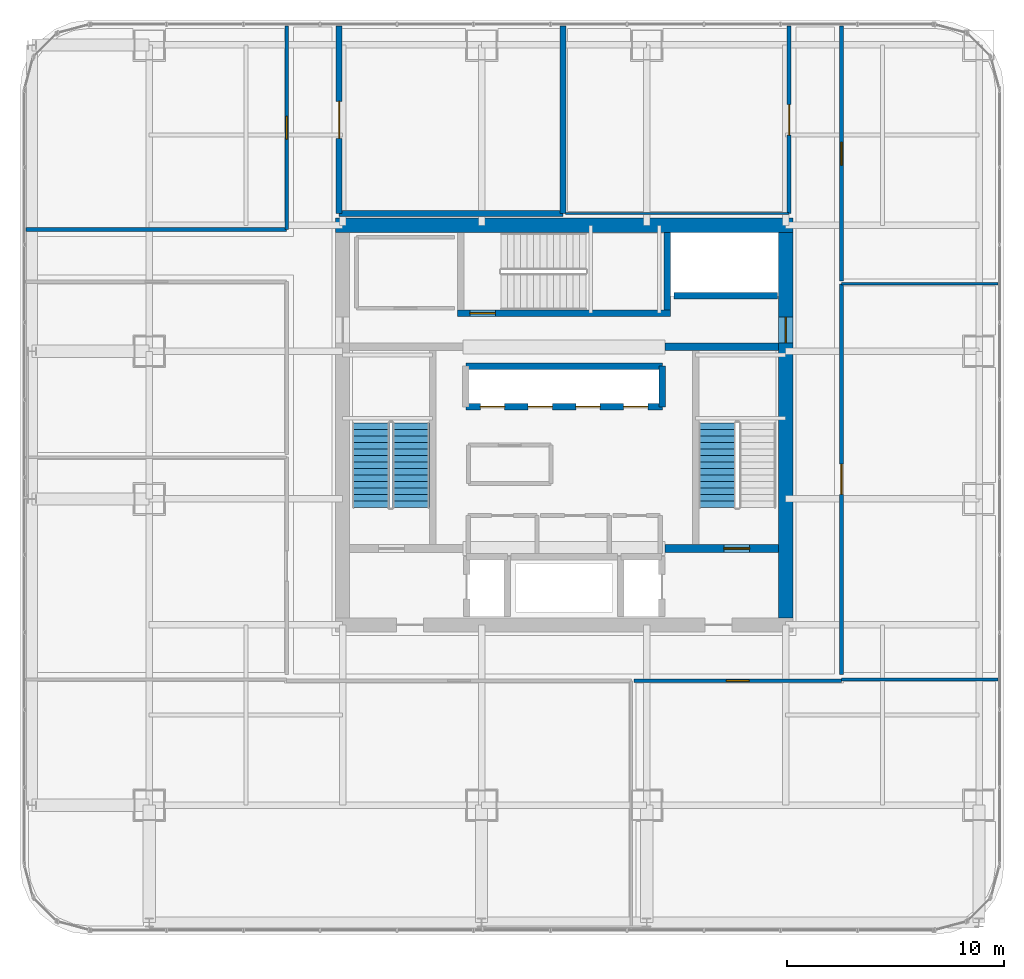
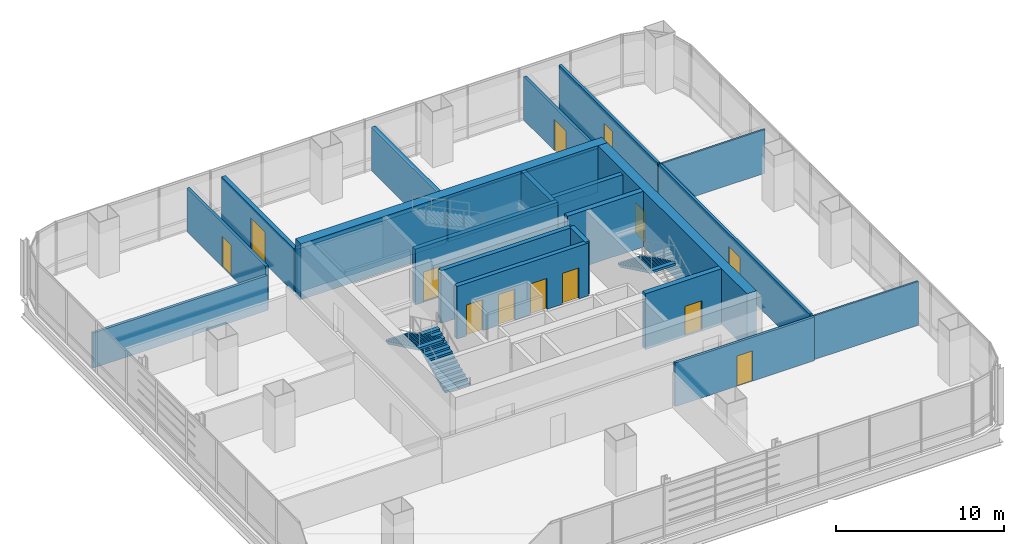
# One storey, part 30 of 36: 22 walls, 13 doors, 3 stair flights, 13 openings, 2 elements without a shape of their own.
"""IFC4 building model written with IfcOpenShell, lengths in metres."""

from ifc_helpers import new_model, si_unit, direction, frame, frame_2d, origin, place, context, subcontext, project, spatial, polyline, rectangle, outline, extrude, material, layer, layer_set, type_object, element, fill, aggregate, save


model = new_model("IFC4")

# Units and contexts
model_context = context("Model", 3, precision=1e-05, world=origin(), true_north=direction((0.0, 1.0)))
body_context = subcontext(model_context, "Body", "Model", "MODEL_VIEW")
ifc_project = project(units=[si_unit("LENGTHUNIT", "METRE"), si_unit("AREAUNIT", "SQUARE_METRE"), si_unit("VOLUMEUNIT", "CUBIC_METRE"), si_unit("PLANEANGLEUNIT", "RADIAN"), si_unit("MASSUNIT", "GRAM", prefix="KILO")], contexts=[model_context])

# Site, building, storey
site_placement = place(None, origin())
site = spatial("IfcSite", under=ifc_project, at=site_placement, CompositionType="ELEMENT")
building_placement = place(site_placement, origin())
building = spatial("IfcBuilding", under=site, at=building_placement, Name="Punatoya Terracotta Tower", CompositionType="ELEMENT")
storey_placement = place(building_placement, frame((0.0, 0.0, 180.300048828125)))
storey = spatial("IfcBuildingStorey", under=building, at=storey_placement, Name="L42", CompositionType="ELEMENT", Elevation=180.300048828125)

# Walls
ifc_material_1 = material(Name="Concrete C40/50", Category="concrete")
ifc_layer_1 = layer(ifc_material_1, 0.280029296875)
ifc_layer_set_1 = layer_set([ifc_layer_1], Name="Concrete C40/50")
wall_type_1 = type_object("IfcWallType", Name="WL-AUD-280", PredefinedType="SOLIDWALL", material=ifc_layer_set_1)
wall_1_placement = place(storey_placement, frame((-0.06005859375, 18.3701171875, 0.0), z_axis=(0.0, 0.0, 1.0), x_axis=(0.0, -1.0, 0.0)))
element("IfcWall", 1, at=wall_1_placement, inside=storey, type_object=wall_type_1, Name="L42 Open-Plan Fitness Movement Lounge Partition 29", PredefinedType="SOLIDWALL", context=body_context, shape_type="SweptSolid", body=[
    extrude(rectangle(XDim=8.630126953125, YDim=0.280029296875, at=frame_2d((4.31494140625, 0.0))), origin(), (0.0, 0.0, 1.0), 3.174072265625),
])
wall_2_placement = place(storey_placement, frame((-0.06005859375, 9.739990234375, 0.0), z_axis=(0.0, 0.0, 1.0), x_axis=(-1.0, 0.0, 0.0)))
element("IfcWall", 2, at=wall_2_placement, inside=storey, type_object=wall_type_1, Name="L42 Open-Plan Fitness Movement Lounge Partition 30", PredefinedType="SOLIDWALL", context=body_context, shape_type="SweptSolid", body=[
    extrude(rectangle(XDim=10.300048828125, YDim=0.280029296875, at=frame_2d((5.14990234375, 0.0))), origin(), (0.0, 0.0, 1.0), 3.174072265625),
])

# Wall, opening, door
wall_3_placement = place(storey_placement, frame((-10.360107421875, 9.739990234375, 0.0), z_axis=(0.0, 0.0, 1.0), x_axis=(0.0, 1.0, 0.0)))
wall_3 = element("IfcWall", 3, at=wall_3_placement, inside=storey, type_object=wall_type_1, Name="L42 Open-Plan Fitness Movement Lounge Partition 31", PredefinedType="SOLIDWALL", context=body_context, shape_type="SweptSolid", body=[
    extrude(rectangle(XDim=8.630126953125, YDim=0.280029296875, at=frame_2d((4.31494140625, 0.0))), origin(), (0.0, 0.0, 1.0), 3.174072265625),
])
opening_1_placement = place(wall_3_placement, frame((3.465087890625, 0.0, 0.0)))
opening_1 = element("IfcOpeningElement", 4, at=opening_1_placement, cuts=wall_3, Name="Opening FD-D1", PredefinedType="OPENING", context=body_context, shape_type="SweptSolid", body=[
    extrude(rectangle(XDim=1.699951171875, YDim=2.300048828125, at=frame_2d((0.85009765625, 1.14990234375))), frame((0.0, 0.14990234375, 0.0), z_axis=(0.0, -1.0, 0.0), x_axis=(1.0, 0.0, 0.0)), (0.0, 0.0, 1.0), 0.300048828125),
])
ifc_material_2 = material(Name="Timber Teak Veneer Fire Leaf", Category="wood")
door_type_1 = type_object("IfcDoorType", Name="DR-DIN-1700", OperationType="NOTDEFINED", PredefinedType="DOOR", material=ifc_material_2)
door_1_placement = place(opening_1_placement, origin())
door_1 = element("IfcDoor", 5, at=door_1_placement, inside=storey, type_object=door_type_1, Name="L42 Open-Plan Fitness Movement Lounge Fire Door", OperationType="DOUBLE_DOOR_SINGLE_SWING", OverallHeight=2.300048828125, OverallWidth=1.699951171875, PredefinedType="DOOR", context=body_context, shape_type="SweptSolid", body=[
    extrude(rectangle(XDim=1.699951171875, YDim=2.300048828125, at=frame_2d((0.85009765625, 1.14990234375))), frame((0.0, 0.02490234375, 0.0), z_axis=(0.0, -1.0, 0.0), x_axis=(1.0, 0.0, 0.0)), (0.0, 0.0, 1.0), 0.050048828125),
])
fill(opening_1, door_1)

# Wall
ifc_material_3 = material(Name="Concrete C60/75", Category="concrete")
ifc_layer_2 = layer(ifc_material_3, 0.64990234375)
ifc_layer_set_2 = layer_set([ifc_layer_2], Name="Concrete C60/75")
wall_type_2 = type_object("IfcWallType", Name="WL-COR-650", PredefinedType="SHEAR", material=ifc_layer_set_2)
wall_4_placement = place(storey_placement, frame((-10.52490234375, 9.199951171875, 0.0), z_axis=(0.0, 0.0, 1.0), x_axis=(1.0, 0.0, 0.0)))
element("IfcWall", 6, at=wall_4_placement, inside=storey, type_object=wall_type_2, Name="L42 Core Shear Wall N", PredefinedType="SHEAR", context=body_context, shape_type="SweptSolid", body=[
    extrude(rectangle(XDim=21.0498046875, YDim=0.64990234375, at=frame_2d((10.52490234375, 0.0))), origin(), (0.0, 0.0, 1.0), 4.050048828125),
])

# Wall, opening, door
wall_5_placement = place(storey_placement, frame((10.199951171875, 8.875, 0.0), z_axis=(0.0, 0.0, 1.0), x_axis=(0.0, -1.0, 0.0)))
wall_5 = element("IfcWall", 7, at=wall_5_placement, inside=storey, type_object=wall_type_2, Name="L42 Core Shear Wall E", PredefinedType="SHEAR", context=body_context, shape_type="SweptSolid", body=[
    extrude(rectangle(XDim=17.75, YDim=0.64990234375, at=frame_2d((8.875, 0.0))), origin(), (0.0, 0.0, 1.0), 4.050048828125),
])
opening_2_placement = place(wall_5_placement, frame((3.905029296875, 0.0, 0.0)))
opening_2 = element("IfcOpeningElement", 8, at=opening_2_placement, cuts=wall_5, Name="Opening SD-01", PredefinedType="OPENING", context=body_context, shape_type="SweptSolid", body=[
    extrude(rectangle(XDim=1.179931640625, YDim=2.199951171875, at=frame_2d((0.58984375, 1.10009765625))), frame((0.0, 0.3349609375, 0.0), z_axis=(0.0, -1.0, 0.0), x_axis=(1.0, 0.0, 0.0)), (0.0, 0.0, 1.0), 0.669921875),
])
ifc_material_4 = material(Name="Galvanised Steel Pressurized Stair Fire Door", Category="steel")
door_type_2 = type_object("IfcDoorType", Name="DR-STR-1180", OperationType="NOTDEFINED", PredefinedType="DOOR", material=ifc_material_4)
door_2_placement = place(opening_2_placement, origin())
door_2 = element("IfcDoor", 9, at=door_2_placement, inside=storey, type_object=door_type_2, Name="L42 Central Lift Lobby East Fire Door", OperationType="SINGLE_SWING_RIGHT", OverallHeight=2.199951171875, OverallWidth=1.179931640625, PredefinedType="DOOR", context=body_context, shape_type="SweptSolid", body=[
    extrude(rectangle(XDim=1.179931640625, YDim=2.199951171875, at=frame_2d((0.58984375, 1.10009765625))), frame((0.0, 0.02490234375, 0.0), z_axis=(0.0, -1.0, 0.0), x_axis=(1.0, 0.0, 0.0)), (0.0, 0.0, 1.0), 0.050048828125),
])
fill(opening_2, door_2)

ifc_material_5 = material(Name="Gypsum Fireboard + Steel Stud", Category="steel")
ifc_layer_3 = layer(ifc_material_5, 0.179931640625)
ifc_layer_set_3 = layer_set([ifc_layer_3], Name="Gypsum Fireboard + Steel Stud")
wall_type_3 = type_object("IfcWallType", Name="WL-CORR-180", PredefinedType="PARTITIONING", material=ifc_layer_set_3)
wall_6_placement = place(storey_placement, frame((3.216064453125, -11.77001953125, 0.0), z_axis=(0.0, 0.0, 1.0), x_axis=(1.0, 0.0, 0.0)))
wall_6 = element("IfcWall", 10, at=wall_6_placement, inside=storey, type_object=wall_type_3, Name="L42 Occupational Rest Lounge Partition 19", PredefinedType="PARTITIONING", context=body_context, shape_type="SweptSolid", body=[
    extrude(rectangle(XDim=9.553955078125, YDim=0.179931640625, at=frame_2d((4.77685546875, 0.0))), origin(), (0.0, 0.0, 1.0), 3.174072265625),
])
opening_3_placement = place(wall_6_placement, frame((4.251953125, 0.0, 0.0)))
opening_3 = element("IfcOpeningElement", 11, at=opening_3_placement, cuts=wall_6, Name="Opening OD-01", PredefinedType="OPENING", context=body_context, shape_type="SweptSolid", body=[
    extrude(rectangle(XDim=1.050048828125, YDim=2.199951171875, at=frame_2d((0.52490234375, 1.10009765625))), frame((0.0, 0.099853515625, 0.0), z_axis=(0.0, -1.0, 0.0), x_axis=(1.0, 0.0, 0.0)), (0.0, 0.0, 1.0), 0.199951171875),
])
ifc_material_6 = material(Name="Bengal Teak Solid-Core Leaf")
door_type_3 = type_object("IfcDoorType", Name="DR-OFF-1050", OperationType="NOTDEFINED", PredefinedType="DOOR", material=ifc_material_6)
door_3_placement = place(opening_3_placement, origin())
door_3 = element("IfcDoor", 12, at=door_3_placement, inside=storey, type_object=door_type_3, Name="L42 Occupational Rest Lounge Door", OperationType="SINGLE_SWING_RIGHT", OverallHeight=2.199951171875, OverallWidth=1.050048828125, PredefinedType="DOOR", context=body_context, shape_type="SweptSolid", body=[
    extrude(rectangle(XDim=1.050048828125, YDim=2.199951171875, at=frame_2d((0.52490234375, 1.10009765625))), frame((0.0, 0.02490234375, 0.0), z_axis=(0.0, -1.0, 0.0), x_axis=(1.0, 0.0, 0.0)), (0.0, 0.0, 1.0), 0.050048828125),
])
fill(opening_3, door_3)

wall_7_placement = place(storey_placement, frame((12.77001953125, -11.489990234375, 0.0), z_axis=(0.0, 0.0, 1.0), x_axis=(0.0, 1.0, 0.0)))
wall_7 = element("IfcWall", 13, at=wall_7_placement, inside=storey, type_object=wall_type_3, Name="L42 Open-Plan Leadership Training Classroom Partition 23", PredefinedType="PARTITIONING", context=body_context, shape_type="SweptSolid", body=[
    extrude(rectangle(XDim=17.992919921875, YDim=0.179931640625, at=frame_2d((8.99658203125, 0.0))), origin(), (0.0, 0.0, 1.0), 3.174072265625),
])
opening_4_placement = place(wall_7_placement, frame((8.29638671875, 0.0, 0.0)))
opening_4 = element("IfcOpeningElement", 14, at=opening_4_placement, cuts=wall_7, Name="Opening BD-01", PredefinedType="OPENING", context=body_context, shape_type="SweptSolid", body=[
    extrude(rectangle(XDim=1.39990234375, YDim=2.25, at=frame_2d((0.699951171875, 1.125))), frame((0.0, 0.099853515625, 0.0), z_axis=(0.0, -1.0, 0.0), x_axis=(1.0, 0.0, 0.0)), (0.0, 0.0, 1.0), 0.199951171875),
])
ifc_material_7 = material(Name="Bengal Teak Acoustic Leaf")
door_type_4 = type_object("IfcDoorType", Name="DR-BRD-1400", OperationType="NOTDEFINED", PredefinedType="DOOR", material=ifc_material_7)
door_4_placement = place(opening_4_placement, origin())
door_4 = element("IfcDoor", 15, at=door_4_placement, inside=storey, type_object=door_type_4, Name="L42 Open-Plan Leadership Training Classroom Door", OperationType="SINGLE_SWING_RIGHT", OverallHeight=2.25, OverallWidth=1.39990234375, PredefinedType="DOOR", context=body_context, shape_type="SweptSolid", body=[
    extrude(rectangle(XDim=1.39990234375, YDim=2.25, at=frame_2d((0.699951171875, 1.125))), frame((0.0, 0.02490234375, 0.0), z_axis=(0.0, -1.0, 0.0), x_axis=(1.0, 0.0, 0.0)), (0.0, 0.0, 1.0), 0.050048828125),
])
fill(opening_4, door_4)

wall_8_placement = place(storey_placement, frame((12.77001953125, 6.623046875, 0.0), z_axis=(0.0, 0.0, 1.0), x_axis=(0.0, 1.0, 0.0)))
wall_8 = element("IfcWall", 16, at=wall_8_placement, inside=storey, type_object=wall_type_3, Name="L42 Open-Plan Mindfulness Wellness Room Partition 26", PredefinedType="PARTITIONING", context=body_context, shape_type="SweptSolid", body=[
    extrude(rectangle(XDim=11.7470703125, YDim=0.179931640625, at=frame_2d((5.87353515625, 0.0))), origin(), (0.0, 0.0, 1.0), 3.174072265625),
])
opening_5_placement = place(wall_8_placement, frame((5.348388671875, 0.0, 0.0)))
opening_5 = element("IfcOpeningElement", 17, at=opening_5_placement, cuts=wall_8, Name="Opening OD-01", PredefinedType="OPENING", context=body_context, shape_type="SweptSolid", body=[
    extrude(rectangle(XDim=1.050048828125, YDim=2.199951171875, at=frame_2d((0.52490234375, 1.10009765625))), frame((0.0, 0.099853515625, 0.0), z_axis=(0.0, -1.0, 0.0), x_axis=(1.0, 0.0, 0.0)), (0.0, 0.0, 1.0), 0.199951171875),
])
door_5_placement = place(opening_5_placement, origin())
door_5 = element("IfcDoor", 18, at=door_5_placement, inside=storey, type_object=door_type_3, Name="L42 Open-Plan Mindfulness Wellness Room Door", OperationType="SINGLE_SWING_RIGHT", OverallHeight=2.199951171875, OverallWidth=1.050048828125, PredefinedType="DOOR", context=body_context, shape_type="SweptSolid", body=[
    extrude(rectangle(XDim=1.050048828125, YDim=2.199951171875, at=frame_2d((0.52490234375, 1.10009765625))), frame((0.0, 0.02490234375, 0.0), z_axis=(0.0, -1.0, 0.0), x_axis=(1.0, 0.0, 0.0)), (0.0, 0.0, 1.0), 0.050048828125),
])
fill(opening_5, door_5)

wall_9_placement = place(storey_placement, frame((-12.77001953125, 18.3701171875, 0.0), z_axis=(0.0, 0.0, 1.0), x_axis=(0.0, -1.0, 0.0)))
wall_9 = element("IfcWall", 19, at=wall_9_placement, inside=storey, type_object=wall_type_3, Name="L42 Open-Plan Cultural Reading Library Partition 27", PredefinedType="PARTITIONING", context=body_context, shape_type="SweptSolid", body=[
    extrude(rectangle(XDim=9.3701171875, YDim=0.179931640625, at=frame_2d((4.68505859375, 0.0))), origin(), (0.0, 0.0, 1.0), 3.174072265625),
])
opening_6_placement = place(wall_9_placement, frame((4.159912109375, 0.0, 0.0)))
opening_6 = element("IfcOpeningElement", 20, at=opening_6_placement, cuts=wall_9, Name="Opening OD-01", PredefinedType="OPENING", context=body_context, shape_type="SweptSolid", body=[
    extrude(rectangle(XDim=1.050048828125, YDim=2.199951171875, at=frame_2d((0.52490234375, 1.10009765625))), frame((0.0, 0.099853515625, 0.0), z_axis=(0.0, -1.0, 0.0), x_axis=(1.0, 0.0, 0.0)), (0.0, 0.0, 1.0), 0.199951171875),
])
door_6_placement = place(opening_6_placement, origin())
door_6 = element("IfcDoor", 21, at=door_6_placement, inside=storey, type_object=door_type_3, Name="L42 Open-Plan Cultural Reading Library Door", OperationType="SINGLE_SWING_LEFT", OverallHeight=2.199951171875, OverallWidth=1.050048828125, PredefinedType="DOOR", context=body_context, shape_type="SweptSolid", body=[
    extrude(rectangle(XDim=1.050048828125, YDim=2.199951171875, at=frame_2d((0.52490234375, 1.10009765625))), frame((0.0, 0.02490234375, 0.0), z_axis=(0.0, -1.0, 0.0), x_axis=(1.0, 0.0, 0.0)), (0.0, 0.0, 1.0), 0.050048828125),
])
fill(opening_6, door_6)

# Wall
wall_10_placement = place(storey_placement, frame((-12.77001953125, 9.0, 0.0), z_axis=(0.0, 0.0, 1.0), x_axis=(-1.0, 0.0, 0.0)))
element("IfcWall", 22, at=wall_10_placement, inside=storey, type_object=wall_type_3, Name="L42 Open-Plan Cultural Reading Library Partition 28", PredefinedType="PARTITIONING", context=body_context, shape_type="SweptSolid", body=[
    extrude(rectangle(XDim=12.0, YDim=0.179931640625, at=frame_2d((6.0, 0.0))), origin(), (0.0, 0.0, 1.0), 2.5439453125),
])

# Wall, opening, door
wall_11_placement = place(storey_placement, frame((10.360107421875, 18.3701171875, 0.0), z_axis=(0.0, 0.0, 1.0), x_axis=(0.0, -1.0, 0.0)))
wall_11 = element("IfcWall", 23, at=wall_11_placement, inside=storey, type_object=wall_type_3, Name="L42 Open-Plan Seminar Discussion Room Partition 33", PredefinedType="PARTITIONING", context=body_context, shape_type="SweptSolid", body=[
    extrude(rectangle(XDim=8.630126953125, YDim=0.179931640625, at=frame_2d((4.31494140625, 0.0))), origin(), (0.0, 0.0, 1.0), 3.174072265625),
])
opening_7_placement = place(wall_11_placement, frame((3.614990234375, 0.0, 0.0)))
opening_7 = element("IfcOpeningElement", 24, at=opening_7_placement, cuts=wall_11, Name="Opening BD-01", PredefinedType="OPENING", context=body_context, shape_type="SweptSolid", body=[
    extrude(rectangle(XDim=1.39990234375, YDim=2.25, at=frame_2d((0.699951171875, 1.125))), frame((0.0, 0.099853515625, 0.0), z_axis=(0.0, -1.0, 0.0), x_axis=(1.0, 0.0, 0.0)), (0.0, 0.0, 1.0), 0.199951171875),
])
door_7_placement = place(opening_7_placement, origin())
door_7 = element("IfcDoor", 25, at=door_7_placement, inside=storey, type_object=door_type_4, Name="L42 Open-Plan Seminar Discussion Room Door", OperationType="SINGLE_SWING_LEFT", OverallHeight=2.25, OverallWidth=1.39990234375, PredefinedType="DOOR", context=body_context, shape_type="SweptSolid", body=[
    extrude(rectangle(XDim=1.39990234375, YDim=2.25, at=frame_2d((0.699951171875, 1.125))), frame((0.0, 0.02490234375, 0.0), z_axis=(0.0, -1.0, 0.0), x_axis=(1.0, 0.0, 0.0)), (0.0, 0.0, 1.0), 0.050048828125),
])
fill(opening_7, door_7)

# Walls
ifc_material_8 = material(Name="Aluminium Framed Acoustic Glass Partition", Category="aluminium")
ifc_layer_4 = layer(ifc_material_8, 0.10009765625)
ifc_layer_set_4 = layer_set([ifc_layer_4], Name="Aluminium Framed Acoustic Glass Partition")
wall_type_4 = type_object("IfcWallType", Name="WL-GLZ-100", PredefinedType="PARTITIONING", material=ifc_layer_set_4)
wall_12_placement = place(storey_placement, frame((10.360107421875, 9.739990234375, 0.0), z_axis=(0.0, 0.0, 1.0), x_axis=(-1.0, 0.0, 0.0)))
element("IfcWall", 26, at=wall_12_placement, inside=storey, type_object=wall_type_4, Name="L42 Open-Plan Seminar Discussion Room Partition 32", PredefinedType="PARTITIONING", context=body_context, shape_type="SweptSolid", body=[
    extrude(rectangle(XDim=10.300048828125, YDim=0.10009765625, at=frame_2d((5.14990234375, 0.0))), origin(), (0.0, 0.0, 1.0), 3.174072265625),
])
ifc_material_9 = material(Name="Gypsum Partition + Steel Stud", Category="steel")
ifc_layer_5 = layer(ifc_material_9, 0.1201171875)
ifc_layer_set_5 = layer_set([ifc_layer_5], Name="Gypsum Partition + Steel Stud")
wall_type_5 = type_object("IfcWallType", Name="WL-OFF-120", PredefinedType="PARTITIONING", material=ifc_layer_set_5)
for number, where, z_axis, x_axis, name in (
    (27, (12.77001953125, -11.7099609375, 0.0), (0.0, 0.0, 1.0), (1.0, 0.0, 0.0), "L42 Occupational Rest Lounge Partition 18"),
    (28, (12.77001953125, 6.5029296875, 0.0), (0.0, 0.0, 1.0), (1.0, 0.0, 0.0), "L42 Open-Plan Leadership Training Classroom Partition 22"),
):
    element("IfcWall", number, at=place(storey_placement, frame(where, z_axis=z_axis, x_axis=x_axis)), inside=storey, type_object=wall_type_5, Name=name, PredefinedType="PARTITIONING", context=body_context, shape_type="SweptSolid", body=[
        extrude(rectangle(XDim=7.199951171875, YDim=0.1201171875, at=frame_2d((3.60009765625, 0.0))), origin(), (0.0, 0.0, 1.0), 3.174072265625),
    ])
ifc_layer_6 = layer(ifc_material_1, 0.300048828125)
ifc_layer_set_6 = layer_set([ifc_layer_6], Name="Concrete C40/50")
wall_type_6 = type_object("IfcWallType", Name="WL-SHF-300", PredefinedType="SOLIDWALL", material=ifc_layer_set_6)
wall_13_placement = place(storey_placement, frame((4.75, 8.875, 0.0), z_axis=(0.0, 0.0, 1.0), x_axis=(0.0, -1.0, 0.0)))
element("IfcWall", 29, at=wall_13_placement, inside=storey, type_object=wall_type_6, Name="L42 Structural Stair Shaft Wall SW-ST3-E", PredefinedType="SOLIDWALL", context=body_context, shape_type="SweptSolid", body=[
    extrude(rectangle(XDim=3.574951171875, YDim=0.300048828125, at=frame_2d((1.78759765625, 0.0))), origin(), (0.0, 0.0, 1.0), 4.050048828125),
])

# Wall, opening, door
wall_14_placement = place(storey_placement, frame((-4.89990234375, 5.14990234375, 0.0), z_axis=(0.0, 0.0, 1.0), x_axis=(1.0, 0.0, 0.0)))
wall_14 = element("IfcWall", 30, at=wall_14_placement, inside=storey, type_object=wall_type_6, Name="L42 Structural Stair Shaft Wall SW-ST3-S", PredefinedType="SOLIDWALL", context=body_context, shape_type="SweptSolid", body=[
    extrude(rectangle(XDim=9.7998046875, YDim=0.300048828125, at=frame_2d((4.89990234375, 0.0))), origin(), (0.0, 0.0, 1.0), 4.050048828125),
])
opening_8_placement = place(wall_14_placement, frame((0.56005859375, 0.0, 0.0)))
opening_8 = element("IfcOpeningElement", 31, at=opening_8_placement, cuts=wall_14, Name="Opening SD-01", PredefinedType="OPENING", context=body_context, shape_type="SweptSolid", body=[
    extrude(rectangle(XDim=1.179931640625, YDim=2.199951171875, at=frame_2d((0.58984375, 1.10009765625))), frame((0.0, 0.159912109375, 0.0), z_axis=(0.0, -1.0, 0.0), x_axis=(1.0, 0.0, 0.0)), (0.0, 0.0, 1.0), 0.320068359375),
])
door_8_placement = place(opening_8_placement, origin())
door_8 = element("IfcDoor", 32, at=door_8_placement, inside=storey, type_object=door_type_2, Name="L42 Stair ST-3 Core Lobby Fire Door", OperationType="SINGLE_SWING_LEFT", OverallHeight=2.199951171875, OverallWidth=1.179931640625, PredefinedType="DOOR", context=body_context, shape_type="SweptSolid", body=[
    extrude(rectangle(XDim=1.179931640625, YDim=2.199951171875, at=frame_2d((0.58984375, 1.10009765625))), frame((0.0, 0.02490234375, 0.0), z_axis=(0.0, -1.0, 0.0), x_axis=(1.0, 0.0, 0.0)), (0.0, 0.0, 1.0), 0.050048828125),
])
fill(opening_8, door_8)

# Wall, openings, doors
wall_15_placement = place(storey_placement, frame((-4.52001953125, 0.840087890625, 0.0), z_axis=(0.0, 0.0, 1.0), x_axis=(1.0, 0.0, 0.0)))
wall_15 = element("IfcWall", 33, at=wall_15_placement, inside=storey, type_object=wall_type_6, Name="L42 North Lift Bank Front Shaft Wall", PredefinedType="SOLIDWALL", context=body_context, shape_type="SweptSolid", body=[
    extrude(rectangle(XDim=9.0400390625, YDim=0.300048828125, at=frame_2d((4.52001953125, 0.0))), origin(), (0.0, 0.0, 1.0), 3.829833984375),
])
opening_9_placement = place(wall_15_placement, frame((0.659912109375, 0.0, 0.0)))
opening_9 = element("IfcOpeningElement", 34, at=opening_9_placement, cuts=wall_15, Name="Opening LD-02", PredefinedType="OPENING", context=body_context, shape_type="SweptSolid", body=[
    extrude(rectangle(XDim=1.1201171875, YDim=2.25, at=frame_2d((0.56005859375, 1.125))), frame((0.0, 0.159912109375, 0.0), z_axis=(0.0, -1.0, 0.0), x_axis=(1.0, 0.0, 0.0)), (0.0, 0.0, 1.0), 0.320068359375),
])
opening_10_placement = place(wall_15_placement, frame((2.860107421875, 0.0, 0.0)))
opening_10 = element("IfcOpeningElement", 35, at=opening_10_placement, cuts=wall_15, Name="Opening LD-02", PredefinedType="OPENING", context=body_context, shape_type="SweptSolid", body=[
    extrude(rectangle(XDim=1.1201171875, YDim=2.25, at=frame_2d((0.56005859375, 1.125))), frame((0.0, 0.159912109375, 0.0), z_axis=(0.0, -1.0, 0.0), x_axis=(1.0, 0.0, 0.0)), (0.0, 0.0, 1.0), 0.320068359375),
])
opening_11_placement = place(wall_15_placement, frame((5.06005859375, 0.0, 0.0)))
opening_11 = element("IfcOpeningElement", 36, at=opening_11_placement, cuts=wall_15, Name="Opening LD-02", PredefinedType="OPENING", context=body_context, shape_type="SweptSolid", body=[
    extrude(rectangle(XDim=1.1201171875, YDim=2.25, at=frame_2d((0.56005859375, 1.125))), frame((0.0, 0.159912109375, 0.0), z_axis=(0.0, -1.0, 0.0), x_axis=(1.0, 0.0, 0.0)), (0.0, 0.0, 1.0), 0.320068359375),
])
opening_12_placement = place(wall_15_placement, frame((7.260009765625, 0.0, 0.0)))
opening_12 = element("IfcOpeningElement", 37, at=opening_12_placement, cuts=wall_15, Name="Opening LD-02", PredefinedType="OPENING", context=body_context, shape_type="SweptSolid", body=[
    extrude(rectangle(XDim=1.1201171875, YDim=2.25, at=frame_2d((0.56005859375, 1.125))), frame((0.0, 0.159912109375, 0.0), z_axis=(0.0, -1.0, 0.0), x_axis=(1.0, 0.0, 0.0)), (0.0, 0.0, 1.0), 0.320068359375),
])
ifc_material_10 = material(Name="Stainless Steel Lift Landing Door", Category="steel")
door_type_5 = type_object("IfcDoorType", Name="DR-LND-1120", OperationType="NOTDEFINED", PredefinedType="DOOR", material=ifc_material_10)
door_9_placement = place(opening_9_placement, origin())
door_9 = element("IfcDoor", 38, at=door_9_placement, inside=storey, type_object=door_type_5, Name="L42 Lift PL-M1 Sliding Landing Door", OperationType="DOUBLE_DOOR_SLIDING", OverallHeight=2.25, OverallWidth=1.1201171875, PredefinedType="DOOR", context=body_context, shape_type="SweptSolid", body=[
    extrude(rectangle(XDim=1.1201171875, YDim=2.25, at=frame_2d((0.56005859375, 1.125))), frame((0.0, 0.02490234375, 0.0), z_axis=(0.0, -1.0, 0.0), x_axis=(1.0, 0.0, 0.0)), (0.0, 0.0, 1.0), 0.050048828125),
])
fill(opening_9, door_9)
door_10_placement = place(opening_10_placement, origin())
door_10 = element("IfcDoor", 39, at=door_10_placement, inside=storey, type_object=door_type_5, Name="L42 Lift PL-M2 Sliding Landing Door", OperationType="DOUBLE_DOOR_SLIDING", OverallHeight=2.25, OverallWidth=1.1201171875, PredefinedType="DOOR", context=body_context, shape_type="SweptSolid", body=[
    extrude(rectangle(XDim=1.1201171875, YDim=2.25, at=frame_2d((0.56005859375, 1.125))), frame((0.0, 0.02490234375, 0.0), z_axis=(0.0, -1.0, 0.0), x_axis=(1.0, 0.0, 0.0)), (0.0, 0.0, 1.0), 0.050048828125),
])
fill(opening_10, door_10)
door_11_placement = place(opening_11_placement, origin())
door_11 = element("IfcDoor", 40, at=door_11_placement, inside=storey, type_object=door_type_5, Name="L42 Lift PL-M3 Sliding Landing Door", OperationType="DOUBLE_DOOR_SLIDING", OverallHeight=2.25, OverallWidth=1.1201171875, PredefinedType="DOOR", context=body_context, shape_type="SweptSolid", body=[
    extrude(rectangle(XDim=1.1201171875, YDim=2.25, at=frame_2d((0.56005859375, 1.125))), frame((0.0, 0.02490234375, 0.0), z_axis=(0.0, -1.0, 0.0), x_axis=(1.0, 0.0, 0.0)), (0.0, 0.0, 1.0), 0.050048828125),
])
fill(opening_11, door_11)
door_12_placement = place(opening_12_placement, origin())
door_12 = element("IfcDoor", 41, at=door_12_placement, inside=storey, type_object=door_type_5, Name="L42 Lift PL-M4 Sliding Landing Door", OperationType="DOUBLE_DOOR_SLIDING", OverallHeight=2.25, OverallWidth=1.1201171875, PredefinedType="DOOR", context=body_context, shape_type="SweptSolid", body=[
    extrude(rectangle(XDim=1.1201171875, YDim=2.25, at=frame_2d((0.56005859375, 1.125))), frame((0.0, 0.02490234375, 0.0), z_axis=(0.0, -1.0, 0.0), x_axis=(1.0, 0.0, 0.0)), (0.0, 0.0, 1.0), 0.050048828125),
])
fill(opening_12, door_12)

# Walls
wall_16_placement = place(storey_placement, frame((-4.52001953125, 2.719970703125, 0.0), z_axis=(0.0, 0.0, 1.0), x_axis=(1.0, 0.0, 0.0)))
element("IfcWall", 42, at=wall_16_placement, inside=storey, type_object=wall_type_6, Name="L42 North Lift Bank Rear Shaft Wall", PredefinedType="SOLIDWALL", context=body_context, shape_type="SweptSolid", body=[
    extrude(rectangle(XDim=9.0400390625, YDim=0.300048828125, at=frame_2d((4.52001953125, 0.0))), origin(), (0.0, 0.0, 1.0), 3.829833984375),
])
wall_17_placement = place(storey_placement, frame((4.52001953125, 0.840087890625, 0.0), z_axis=(0.0, 0.0, 1.0), x_axis=(0.0, 1.0, 0.0)))
element("IfcWall", 43, at=wall_17_placement, inside=storey, type_object=wall_type_6, Name="L42 North Lift Bank East End Wall", PredefinedType="SOLIDWALL", context=body_context, shape_type="SweptSolid", body=[
    extrude(rectangle(XDim=1.8798828125, YDim=0.300048828125, at=frame_2d((0.93994140625, 0.0))), origin(), (0.0, 0.0, 1.0), 3.829833984375),
])
wall_18_placement = place(storey_placement, frame((5.06005859375, 5.949951171875, 0.0), z_axis=(0.0, 0.0, 1.0), x_axis=(1.0, 0.0, 0.0)))
element("IfcWall", 44, at=wall_18_placement, inside=storey, type_object=wall_type_6, Name="L42 Shuttle SL-2 South Hoistway Wall", PredefinedType="SOLIDWALL", context=body_context, shape_type="SweptSolid", body=[
    extrude(rectangle(XDim=4.760009765625, YDim=0.300048828125, at=frame_2d((2.3798828125, 0.0))), origin(), (0.0, 0.0, 1.0), 3.829833984375),
])

# Wall, opening, door
ifc_material_11 = material(Name="Concrete C50/60", Category="concrete")
ifc_layer_7 = layer(ifc_material_11, 0.35009765625)
ifc_layer_set_7 = layer_set([ifc_layer_7], Name="Concrete C50/60")
wall_type_7 = type_object("IfcWallType", Name="WL-SHF-350", PredefinedType="SOLIDWALL", material=ifc_layer_set_7)
wall_19_placement = place(storey_placement, frame((4.64990234375, -5.679931640625, 0.0), z_axis=(0.0, 0.0, 1.0), x_axis=(1.0, 0.0, 0.0)))
wall_19 = element("IfcWall", 45, at=wall_19_placement, inside=storey, type_object=wall_type_7, Name="L42 Core Web Wall CSW-R", PredefinedType="SOLIDWALL", context=body_context, shape_type="SweptSolid", body=[
    extrude(rectangle(XDim=5.22509765625, YDim=0.35009765625, at=frame_2d((2.612548828125, 0.0))), origin(), (0.0, 0.0, 1.0), 4.050048828125),
])
opening_13_placement = place(wall_19_placement, frame((2.7099609375, 0.0, 0.0)))
opening_13 = element("IfcOpeningElement", 46, at=opening_13_placement, cuts=wall_19, Name="Opening SD-01", PredefinedType="OPENING", context=body_context, shape_type="SweptSolid", body=[
    extrude(rectangle(XDim=1.179931640625, YDim=2.199951171875, at=frame_2d((0.58984375, 1.10009765625))), frame((0.0, 0.18505859375, 0.0), z_axis=(0.0, -1.0, 0.0), x_axis=(1.0, 0.0, 0.0)), (0.0, 0.0, 1.0), 0.3701171875),
])
door_13_placement = place(opening_13_placement, origin())
door_13 = element("IfcDoor", 47, at=door_13_placement, inside=storey, type_object=door_type_2, Name="L42 Stair ST-2 Smokeproof Lobby Fire Door", OperationType="SINGLE_SWING_RIGHT", OverallHeight=2.199951171875, OverallWidth=1.179931640625, PredefinedType="DOOR", context=body_context, shape_type="SweptSolid", body=[
    extrude(rectangle(XDim=1.179931640625, YDim=2.199951171875, at=frame_2d((0.58984375, 1.10009765625))), frame((0.0, 0.02490234375, 0.0), z_axis=(0.0, -1.0, 0.0), x_axis=(1.0, 0.0, 0.0)), (0.0, 0.0, 1.0), 0.050048828125),
])
fill(opening_13, door_13)

# Wall
wall_20_placement = place(storey_placement, frame((4.64990234375, 3.60009765625, 0.0), z_axis=(0.0, 0.0, 1.0), x_axis=(1.0, 0.0, 0.0)))
element("IfcWall", 48, at=wall_20_placement, inside=storey, type_object=wall_type_7, Name="L42 Core Web Wall CNW-R", PredefinedType="SOLIDWALL", context=body_context, shape_type="SweptSolid", body=[
    extrude(rectangle(XDim=5.22509765625, YDim=0.35009765625, at=frame_2d((2.612548828125, 0.0))), origin(), (0.0, 0.0, 1.0), 4.050048828125),
])

# Stair, stair flights
stair_type_1 = type_object("IfcStairType", Name="STR-CORE-1550", PredefinedType="HALF_TURN_STAIR", material=ifc_material_1)
stair_1_placement = place(storey_placement, origin())
stair_1 = element("IfcStair", 49, at=stair_1_placement, inside=storey, type_object=stair_type_1, Name="L42 Protected Core Exit Stair ST-1", PredefinedType="HALF_TURN_STAIR")
stair_flight_type_1 = type_object("IfcStairFlightType", Name="SFL-CORE-1550", PredefinedType="STRAIGHT", material=ifc_material_1)
stair_flight_1_placement = place(storey_placement, frame((-7.050048828125, -3.800048828125, 0.0), z_axis=(0.0, 0.0, 1.0), x_axis=(0.0, 1.0, 0.0)))
stair_flight_1 = element("IfcStairFlight", 50, at=stair_flight_1_placement, type_object=stair_flight_type_1, Name="ST-1 flight 1", NumberOfRisers=14, NumberOfTreads=13, PredefinedType="STRAIGHT", RiserHeight=0.144642857, TreadLength=0.3, context=body_context, shape_type="SweptSolid", body=[
    extrude(outline(polyline([(0.0, 0.0), (0.0, 0.14453125), (0.300048828125, 0.14453125), (0.300048828125, 0.289306640625), (0.60009765625, 0.289306640625), (0.60009765625, 0.433837890625), (0.89990234375, 0.433837890625), (0.89990234375, 0.57861328125), (1.199951171875, 0.57861328125), (1.199951171875, 0.72314453125), (1.5, 0.72314453125), (1.5, 0.867919921875), (1.800048828125, 0.867919921875), (1.800048828125, 1.012451171875), (2.10009765625, 1.012451171875), (2.10009765625, 1.1572265625), (2.39990234375, 1.1572265625), (2.39990234375, 1.3017578125), (2.699951171875, 1.3017578125), (2.699951171875, 1.446533203125), (3.0, 1.446533203125), (3.0, 1.591064453125), (3.300048828125, 1.591064453125), (3.300048828125, 1.735595703125), (3.60009765625, 1.735595703125), (3.60009765625, 1.88037109375), (3.89990234375, 1.88037109375), (3.89990234375, 2.02490234375), (3.89990234375, 1.7138671875), (0.34521484375, 0.0), (0.0, 0.0)])), frame((0.0, 0.85009765625, 0.0), z_axis=(0.0, -1.0, 0.0), x_axis=(1.0, 0.0, 0.0)), (0.0, 0.0, 1.0), 1.699951171875),
])
stair_flight_2_placement = place(storey_placement, frame((-8.89990234375, 0.10009765625, 2.02490234375), z_axis=(0.0, 0.0, 1.0), x_axis=(0.0, -1.0, 0.0)))
stair_flight_2 = element("IfcStairFlight", 51, at=stair_flight_2_placement, type_object=stair_flight_type_1, Name="ST-1 flight 2", NumberOfRisers=14, NumberOfTreads=13, PredefinedType="STRAIGHT", RiserHeight=0.144642857, TreadLength=0.3, context=body_context, shape_type="SweptSolid", body=[
    extrude(outline(polyline([(0.0, 0.0), (0.0, 0.14453125), (0.300048828125, 0.14453125), (0.300048828125, 0.289306640625), (0.60009765625, 0.289306640625), (0.60009765625, 0.433837890625), (0.89990234375, 0.433837890625), (0.89990234375, 0.57861328125), (1.199951171875, 0.57861328125), (1.199951171875, 0.72314453125), (1.5, 0.72314453125), (1.5, 0.867919921875), (1.800048828125, 0.867919921875), (1.800048828125, 1.012451171875), (2.10009765625, 1.012451171875), (2.10009765625, 1.1572265625), (2.39990234375, 1.1572265625), (2.39990234375, 1.3017578125), (2.699951171875, 1.3017578125), (2.699951171875, 1.446533203125), (3.0, 1.446533203125), (3.0, 1.591064453125), (3.300048828125, 1.591064453125), (3.300048828125, 1.735595703125), (3.60009765625, 1.735595703125), (3.60009765625, 1.88037109375), (3.89990234375, 1.88037109375), (3.89990234375, 2.02490234375), (3.89990234375, 1.7138671875), (0.34521484375, 0.0), (0.0, 0.0)])), frame((0.0, 0.85009765625, 0.0), z_axis=(0.0, -1.0, 0.0), x_axis=(1.0, 0.0, 0.0)), (0.0, 0.0, 1.0), 1.699951171875),
])
aggregate(stair_1, [stair_flight_1, stair_flight_2])

# Stair, stair flight
stair_type_2 = type_object("IfcStairType", Name="STR-LOB-1650", PredefinedType="HALF_TURN_STAIR", material=ifc_material_1)
stair_2_placement = place(storey_placement, origin())
stair_2 = element("IfcStair", 52, at=stair_2_placement, inside=storey, type_object=stair_type_2, Name="L42 Protected Core Exit Stair ST-2", PredefinedType="HALF_TURN_STAIR")
stair_flight_type_2 = type_object("IfcStairFlightType", Name="SFL-LOB-1650", PredefinedType="STRAIGHT", material=ifc_material_1)
stair_flight_3_placement = place(storey_placement, frame((7.050048828125, 0.10009765625, 2.02490234375), z_axis=(0.0, 0.0, 1.0), x_axis=(0.0, -1.0, 0.0)))
stair_flight_3 = element("IfcStairFlight", 53, at=stair_flight_3_placement, type_object=stair_flight_type_2, Name="ST-2 flight 2", NumberOfRisers=14, NumberOfTreads=13, PredefinedType="STRAIGHT", RiserHeight=0.144642857, TreadLength=0.3, context=body_context, shape_type="SweptSolid", body=[
    extrude(outline(polyline([(0.0, 0.0), (0.0, 0.14453125), (0.300048828125, 0.14453125), (0.300048828125, 0.289306640625), (0.60009765625, 0.289306640625), (0.60009765625, 0.433837890625), (0.89990234375, 0.433837890625), (0.89990234375, 0.57861328125), (1.199951171875, 0.57861328125), (1.199951171875, 0.72314453125), (1.5, 0.72314453125), (1.5, 0.867919921875), (1.800048828125, 0.867919921875), (1.800048828125, 1.012451171875), (2.10009765625, 1.012451171875), (2.10009765625, 1.1572265625), (2.39990234375, 1.1572265625), (2.39990234375, 1.3017578125), (2.699951171875, 1.3017578125), (2.699951171875, 1.446533203125), (3.0, 1.446533203125), (3.0, 1.591064453125), (3.300048828125, 1.591064453125), (3.300048828125, 1.735595703125), (3.60009765625, 1.735595703125), (3.60009765625, 1.88037109375), (3.89990234375, 1.88037109375), (3.89990234375, 2.02490234375), (3.89990234375, 1.7138671875), (0.34521484375, 0.0), (0.0, 0.0)])), frame((0.0, 0.85009765625, 0.0), z_axis=(0.0, -1.0, 0.0), x_axis=(1.0, 0.0, 0.0)), (0.0, 0.0, 1.0), 1.699951171875),
])
aggregate(stair_2, [stair_flight_3])

save(model, "model.ifc")
